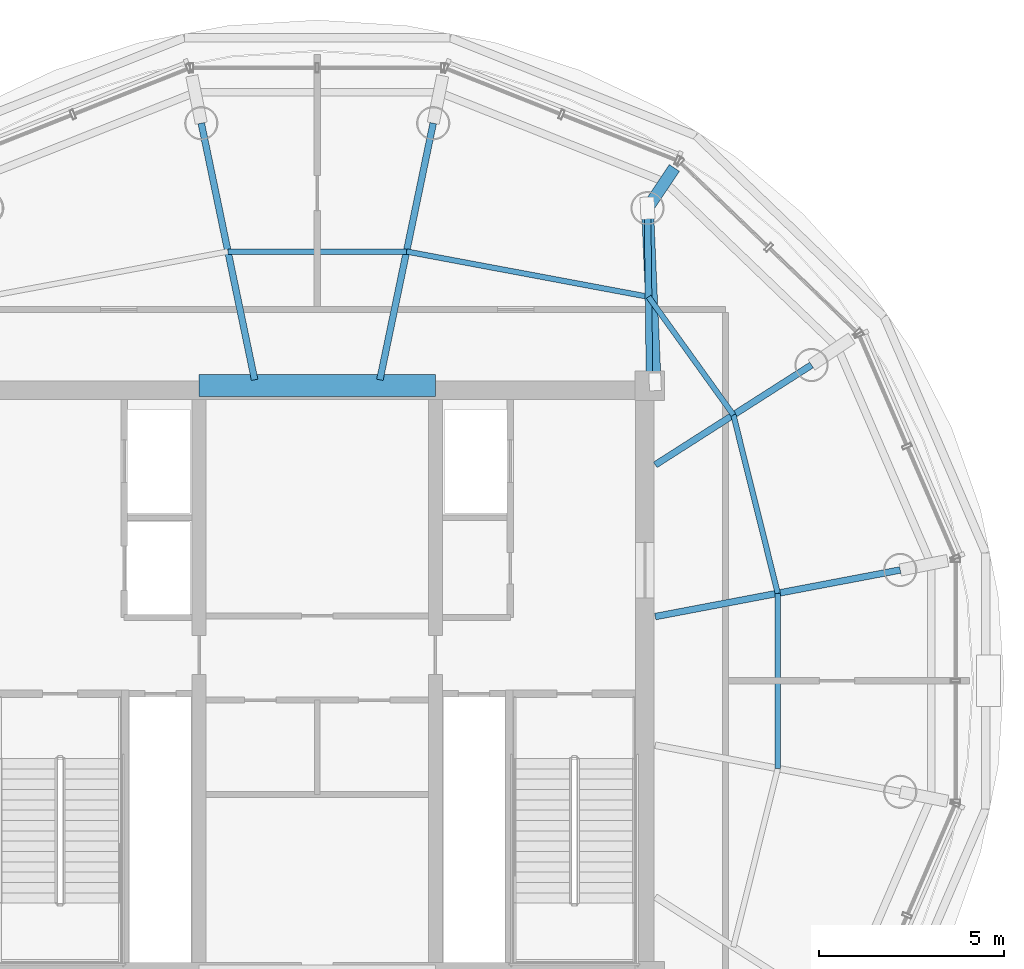
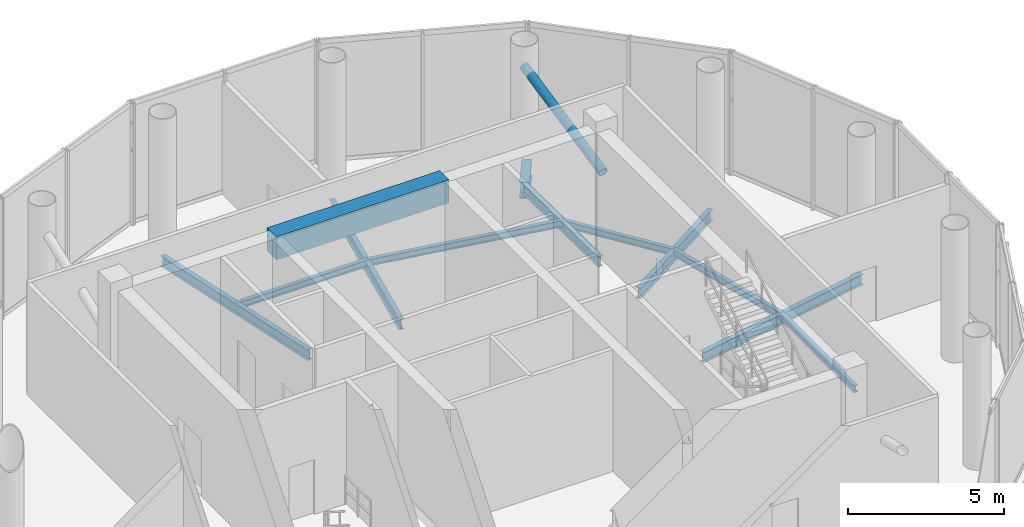
# One storey, part 6 of 15: 12 beams, 1 member.
"""IFC4 building model written with IfcOpenShell, lengths in metres."""

from ifc_helpers import new_model, si_unit, direction, frame, origin, origin_2d, place, context, subcontext, project, spatial, rectangle, hollow_circle, i_section, extrude, source, transform, mapped, material, material_profile, profile_set, type_object, element, save


model = new_model("IFC4")

# Units and contexts
model_context = context("Model", 3, precision=1e-05, world=origin(), true_north=direction((-0.2419218956, 0.970295726276)))
body_context = subcontext(model_context, "Body", "Model", "MODEL_VIEW")
ifc_project = project(units=[si_unit("LENGTHUNIT", "METRE"), si_unit("AREAUNIT", "SQUARE_METRE"), si_unit("VOLUMEUNIT", "CUBIC_METRE"), si_unit("PLANEANGLEUNIT", "RADIAN"), si_unit("MASSUNIT", "GRAM", prefix="KILO")], contexts=[model_context])

# Site, building, storey
site_placement = place(None, origin())
site = spatial("IfcSite", under=ifc_project, at=site_placement, CompositionType="ELEMENT")
building_placement = place(site_placement, origin())
building = spatial("IfcBuilding", under=site, at=building_placement, Name="Cobrevalo Terracotta Tower", CompositionType="ELEMENT")
storey_placement = place(building_placement, frame((0.0, 0.0, 306.10009765625)))
storey = spatial("IfcBuildingStorey", under=building, at=storey_placement, Name="L80", CompositionType="ELEMENT", Elevation=306.10009765625)

# Beams
ifc_material_1 = material(Name="Concrete C60", Category="concrete")
ifc_material_profile_1 = material_profile(ifc_material_1, rectangle(XDim=0.60009765625, YDim=0.89990234375, at=origin_2d()), Name="RC CB 600x900")
ifc_profile_set_1 = profile_set([ifc_material_profile_1], Name="Concrete C60")
beam_type_1 = type_object("IfcBeamType", Name="Structural Beam RC CB 600x900 (Concrete C60)", PredefinedType="BEAM", material=ifc_profile_set_1)
beam_1_placement = place(storey_placement, frame((34.800048828125, 34.800048828125, 4.329833984375), z_axis=(1.0, 0.0, 0.0), x_axis=(0.0, 1.0, 0.0)))
element("IfcBeam", 1, at=beam_1_placement, inside=storey, type_object=beam_type_1, Name="L80 core coupling beam 2", PredefinedType="BEAM", context=body_context, shape_type="SweptSolid", body=[
    extrude(rectangle(XDim=0.60009765625, YDim=0.89990234375, at=origin_2d()), origin(), (0.0, 0.0, 1.0), 6.39990234375),
])
ifc_material_2 = material(Name="Steel S355", Category="steel")
ifc_material_profile_2 = material_profile(ifc_material_2, i_section(OverallWidth=0.179931640625, OverallDepth=0.4130859375, WebThickness=0.009765625, FlangeThickness=0.01611328125, at=origin_2d()), Name="W 410x75")
ifc_profile_set_2 = profile_set([ifc_material_profile_2], Name="Steel S355")
beam_type_2 = type_object("IfcBeamType", Name="Structural Beam W 410x75 (Steel S355)", PredefinedType="BEAM", material=ifc_profile_set_2)
beam_2_placement = place(storey_placement, frame((53.79052734375, 29.804443359375, -0.626708984375), z_axis=(-0.982371453015, -0.186939370654, 0.0), x_axis=(0.186939370654, -0.982371453015, 0.0)))
element("IfcBeam", 2, at=beam_2_placement, inside=storey, type_object=beam_type_2, Name="L80 radial floor girder 01", PredefinedType="BEAM", context=body_context, shape_type="SweptSolid", body=[
    extrude(i_section(OverallWidth=0.179931640625, OverallDepth=0.4130859375, WebThickness=0.009765625, FlangeThickness=0.01611328125, at=origin_2d()), origin(), (0.0, 0.0, 1.0), 6.754638671875),
])
beam_3_placement = place(storey_placement, frame((51.38671875, 35.355712890625, -0.626708984375), z_axis=(-0.84260496226, -0.538532150921, 0.0), x_axis=(0.538532150921, -0.84260496226, 0.0)))
element("IfcBeam", 3, at=beam_3_placement, inside=storey, type_object=beam_type_2, Name="L80 radial floor girder 02", PredefinedType="BEAM", context=body_context, shape_type="SweptSolid", body=[
    extrude(i_section(OverallWidth=0.179931640625, OverallDepth=0.4130859375, WebThickness=0.009765625, FlangeThickness=0.01611328125, at=origin_2d()), origin(), (0.0, 0.0, 1.0), 5.022216796875),
])
beam_4_placement = place(storey_placement, frame((46.944580078125, 39.604736328125, -0.626708984375), z_axis=(0.01153378561, -0.999933483683, 0.0), x_axis=(0.999933483683, 0.01153378561, 0.0)))
element("IfcBeam", 4, at=beam_4_placement, inside=storey, type_object=beam_type_2, Name="L80 radial floor girder 03", PredefinedType="BEAM", context=body_context, shape_type="SweptSolid", body=[
    extrude(i_section(OverallWidth=0.179931640625, OverallDepth=0.4130859375, WebThickness=0.009765625, FlangeThickness=0.01611328125, at=origin_2d()), origin(), (0.0, 0.0, 1.0), 4.804931640625),
])
for number, where, z_axis, x_axis, name in (
    (5, (41.140869140625, 41.904052734375, -0.626708984375), (-0.203598476057, -0.979054472717, 0.0), (0.979054472717, -0.203598476057, 0.0), "L80 radial floor girder 04"),
    (6, (34.859130859375, 41.904052734375, -0.626708984375), (0.203598476057, -0.979054472717, 0.0), (0.979054472717, 0.203598476057, 0.0), "L80 radial floor girder 05"),
):
    element("IfcBeam", number, at=place(storey_placement, frame(where, z_axis=z_axis, x_axis=x_axis)), inside=storey, type_object=beam_type_2, Name=name, PredefinedType="BEAM", context=body_context, shape_type="SweptSolid", body=[
        extrude(i_section(OverallWidth=0.179931640625, OverallDepth=0.4130859375, WebThickness=0.009765625, FlangeThickness=0.01611328125, at=origin_2d()), origin(), (0.0, 0.0, 1.0), 7.09765625),
    ])
ifc_material_profile_3 = material_profile(ifc_material_2, i_section(OverallWidth=0.3291015625, OverallDepth=0.635009765625, WebThickness=0.017822265625, FlangeThickness=0.031005859375, at=origin_2d()), Name="W 610x241")
ifc_profile_set_3 = profile_set([ifc_material_profile_3], Name="Steel S355")
beam_type_3 = type_object("IfcBeamType", Name="Structural Beam W 610x241 (Steel S355)", PredefinedType="BEAM", material=ifc_profile_set_3)
beam_5_placement = place(storey_placement, frame((47.67236328125, 40.69384765625, -0.737548828125), z_axis=(-0.555603102571, -0.831447648631, 0.0), x_axis=(0.831447648631, -0.555603102571, 0.0)))
element("IfcBeam", 7, at=beam_5_placement, inside=storey, type_object=beam_type_3, Name="L80 setback step-link girder 03", PredefinedType="BEAM", context=body_context, shape_type="SweptSolid", body=[
    extrude(i_section(OverallWidth=0.3291015625, OverallDepth=0.635009765625, WebThickness=0.017822265625, FlangeThickness=0.031005859375, at=origin_2d()), origin(), (0.0, 0.0, 1.0), 1.309814453125),
])
ifc_material_profile_4 = material_profile(ifc_material_2, i_section(OverallWidth=0.14794921875, OverallDepth=0.26611328125, WebThickness=0.007568359375, FlangeThickness=0.012939453125, at=origin_2d()), Name="W 250x44.8")
ifc_profile_set_4 = profile_set([ifc_material_profile_4], Name="Steel S355")
beam_type_4 = type_object("IfcBeamType", Name="Structural Joist W 250x44.8 (Steel S355)", PredefinedType="JOIST", material=ifc_profile_set_4)
beam_6_placement = place(storey_placement, frame((50.472900390625, 29.173095703125, -0.552978515625), z_axis=(-0.241508383165, 0.970398732924, 0.0), x_axis=(-0.970398732924, -0.241508383165, 0.0)))
element("IfcBeam", 8, at=beam_6_placement, inside=storey, type_object=beam_type_4, Name="L80 circumferential secondary floor joist 01", PredefinedType="JOIST", context=body_context, shape_type="SweptSolid", body=[
    extrude(i_section(OverallWidth=0.14794921875, OverallDepth=0.26611328125, WebThickness=0.007568359375, FlangeThickness=0.012939453125, at=origin_2d()), origin(), (0.0, 0.0, 1.0), 4.977783203125),
])
beam_7_placement = place(storey_placement, frame((49.270751953125, 34.00341796875, -0.552978515625), z_axis=(-0.583481506164, 0.812126426096, 0.0), x_axis=(-0.812126426096, -0.583481506164, 0.0)))
element("IfcBeam", 9, at=beam_7_placement, inside=storey, type_object=beam_type_4, Name="L80 circumferential secondary floor joist 02", PredefinedType="JOIST", context=body_context, shape_type="SweptSolid", body=[
    extrude(i_section(OverallWidth=0.14794921875, OverallDepth=0.26611328125, WebThickness=0.007568359375, FlangeThickness=0.012939453125, at=origin_2d()), origin(), (0.0, 0.0, 1.0), 3.93896484375),
])
beam_8_placement = place(storey_placement, frame((46.972412109375, 37.202392578125, -0.552978515625), z_axis=(-0.982921477939, 0.184025455322, 0.0), x_axis=(-0.184025455322, -0.982921477939, 0.0)))
element("IfcBeam", 10, at=beam_8_placement, inside=storey, type_object=beam_type_4, Name="L80 circumferential secondary floor joist 03", PredefinedType="JOIST", context=body_context, shape_type="SweptSolid", body=[
    extrude(i_section(OverallWidth=0.14794921875, OverallDepth=0.26611328125, WebThickness=0.007568359375, FlangeThickness=0.012939453125, at=origin_2d()), origin(), (0.0, 0.0, 1.0), 6.667724609375),
])
beam_9_placement = place(storey_placement, frame((40.41845703125, 38.429443359375, -0.552978515625), z_axis=(-1.0, 0.0, 0.0), x_axis=(0.0, -1.0, 0.0)))
element("IfcBeam", 11, at=beam_9_placement, inside=storey, type_object=beam_type_4, Name="L80 circumferential secondary floor joist 04", PredefinedType="JOIST", context=body_context, shape_type="SweptSolid", body=[
    extrude(i_section(OverallWidth=0.14794921875, OverallDepth=0.26611328125, WebThickness=0.007568359375, FlangeThickness=0.012939453125, at=origin_2d()), origin(), (0.0, 0.0, 1.0), 4.8369140625),
])
beam_10_placement = place(storey_placement, frame((50.472900390625, 24.4267578125, -0.552978515625), z_axis=(0.0, 1.0, 0.0), x_axis=(-1.0, 0.0, 0.0)))
element("IfcBeam", 12, at=beam_10_placement, inside=storey, type_object=beam_type_4, Name="L80 circumferential secondary floor joist 16", PredefinedType="JOIST", context=body_context, shape_type="SweptSolid", body=[
    extrude(i_section(OverallWidth=0.14794921875, OverallDepth=0.26611328125, WebThickness=0.007568359375, FlangeThickness=0.012939453125, at=origin_2d()), origin(), (0.0, 0.0, 1.0), 4.746337890625),
])

# Member
ifc_material_profile_5 = material_profile(ifc_material_2, hollow_circle(Radius=0.162109375, WallThickness=0.013916015625, at=origin_2d()), Name="CHS 324x14")
ifc_profile_set_5 = profile_set([ifc_material_profile_5], Name="Steel S355")
member_type = type_object("IfcMemberType", Name="Steel Brace CHS 324x14 (Steel S355)", PredefinedType="BRACE", material=ifc_profile_set_5)
shared_shape = source(origin(), body_context, "Body", "SweptSolid", [
    extrude(hollow_circle(Radius=0.162109375, WallThickness=0.013916015625, at=origin_2d()), origin(), (0.0, 0.0, 1.0), 4.9072265625),
])
member_placement = place(storey_placement, frame((47.14990234375, 34.89990234375, 2.75), z_axis=(-0.041840080102, 0.958739814085, 0.281189218474), x_axis=(-0.999049102523, -0.043599205813, 0.0)))
element("IfcMember", 13, at=member_placement, inside=storey, type_object=member_type, Name="L80 CROWN FRAME radial brace 01", PredefinedType="BRACE", context=body_context, shape_type="MappedRepresentation", body=[
    mapped(shared_shape, transform((0.0, 0.0, 0.0), scale=1.0)),
])

save(model, "model.ifc")
